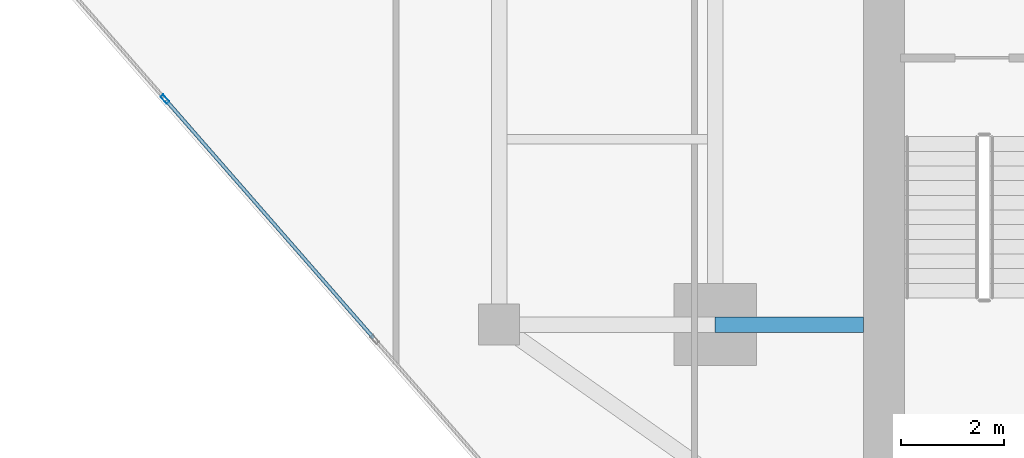
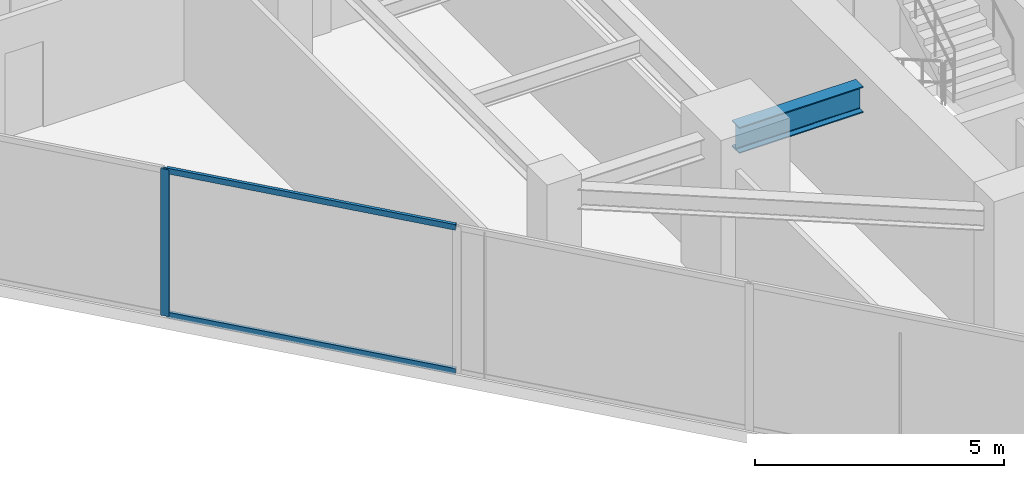
# One storey, part 4 of 24: 3 members, 1 beam, 1 element without a shape of its own.
"""IFC4 building model written with IfcOpenShell, lengths in metres."""

from ifc_helpers import new_model, si_unit, direction, frame, origin, origin_2d, place, context, subcontext, project, spatial, hollow_rectangle, i_section, extrude, source, transform, mapped, material, material_profile, profile_set, type_object, type_shapes, element, aggregate, save


model = new_model("IFC4")

# Units and contexts
model_context = context("Model", 3, precision=1e-05, world=origin(), true_north=direction((0.0, 1.0)))
body_context = subcontext(model_context, "Body", "Model", "MODEL_VIEW")
ifc_project = project(units=[si_unit("LENGTHUNIT", "METRE"), si_unit("AREAUNIT", "SQUARE_METRE"), si_unit("VOLUMEUNIT", "CUBIC_METRE"), si_unit("PLANEANGLEUNIT", "RADIAN"), si_unit("MASSUNIT", "GRAM", prefix="KILO")], contexts=[model_context])

# Site, building, storey
site_placement = place(None, origin())
site = spatial("IfcSite", under=ifc_project, at=site_placement, CompositionType="ELEMENT")
building_placement = place(site_placement, origin())
building = spatial("IfcBuilding", under=site, at=building_placement, Name="Krantzveldt Concourse Tower", CompositionType="ELEMENT")
storey_placement = place(building_placement, frame((0.0, 0.0, 258.64990234375)))
storey = spatial("IfcBuildingStorey", under=building, at=storey_placement, Name="L63", CompositionType="ELEMENT", Elevation=258.64990234375)

# Beam
ifc_material_1 = material(Name="Steel S355JR", Category="steel")
ifc_material_profile_1 = material_profile(ifc_material_1, i_section(OverallWidth=0.300048828125, OverallDepth=0.639892578125, WebThickness=0.013427734375, FlangeThickness=0.02587890625, FilletRadius=0.027099609375, at=origin_2d()), Name="Steel S355JR", Category="steel")
ifc_profile_set_1 = profile_set([ifc_material_profile_1], Name="Steel S355JR - HEA 650")
beam_type = type_object("IfcBeamType", Name="BM-B-HEA650", PredefinedType="BEAM", material=ifc_profile_set_1)
shared_shape_1 = source(origin(), body_context, "Body", "SweptSolid", [
    extrude(i_section(OverallWidth=0.300048828125, OverallDepth=0.639892578125, WebThickness=0.013427734375, FlangeThickness=0.02587890625, FilletRadius=0.027099609375, at=origin_2d()), origin(), (0.0, 0.0, 1.0), 2.880126953125),
])
type_shapes(beam_type, [shared_shape_1])
beam_placement = place(storey_placement, frame((25.199951171875, 15.89990234375, 3.280029296875), z_axis=(1.0, 0.0, 0.0), x_axis=(0.0, 1.0, 0.0)))
element("IfcBeam", 1, at=beam_placement, inside=storey, type_object=beam_type, Name="L63 Tower Girder BG-CW1", PredefinedType="BEAM", context=body_context, shape_type="MappedRepresentation", body=[
    mapped(shared_shape_1, transform((0.0, 0.0, 0.0), x_axis=(1.0, 0.0, 0.0), y_axis=(0.0, 1.0, 0.0), z_axis=(0.0, 0.0, 1.0), scale=1.0)),
])

# Curtain wall, members
ifc_material_2 = material(Name="Anodised aluminium 6063-T6", Category="aluminium")
curtain_wall_type = type_object("IfcCurtainWallType", Name="CW3", PredefinedType="USERDEFINED", material=ifc_material_2)
curtain_wall_placement = place(storey_placement, origin())
curtain_wall = element("IfcCurtainWall", 2, at=curtain_wall_placement, inside=storey, type_object=curtain_wall_type, Name="CW-L63-F04", ObjectType="UNITISED CURTAIN WALL", PredefinedType="USERDEFINED")
ifc_material_profile_2 = material_profile(ifc_material_2, hollow_rectangle(XDim=0.070068359375, YDim=0.179931640625, WallThickness=0.0048828125, at=origin_2d()), Name="Anodised aluminium 6063-T6", Category="aluminium")
ifc_profile_set_2 = profile_set([ifc_material_profile_2], Name="Anodised aluminium 6063-T6 - ALU-MULL 180x70x5")
member_type_1 = type_object("IfcMemberType", Name="CW-MUL-180", PredefinedType="MULLION", material=ifc_profile_set_2)
shared_shape_2 = source(origin(), body_context, "Body", "SweptSolid", [
    extrude(hollow_rectangle(XDim=0.070068359375, YDim=0.179931640625, WallThickness=0.0048828125, at=origin_2d()), origin(), (0.0, 0.0, 1.0), 3.60009765625),
])
type_shapes(member_type_1, [shared_shape_2])
member_1_placement = place(storey_placement, frame((14.509033203125, 20.28173828125, 0.0), z_axis=(0.0, 0.0, 1.0), x_axis=(0.753276529034, 0.657703938567, 0.0)))
member_1 = element("IfcMember", 3, at=member_1_placement, type_object=member_type_1, Name="CW-Z34 mullion 2", PredefinedType="MULLION", context=body_context, shape_type="MappedRepresentation", body=[
    mapped(shared_shape_2, transform((0.0, 0.0, 0.0), x_axis=(1.0, 0.0, 0.0), y_axis=(0.0, 1.0, 0.0), z_axis=(0.0, 0.0, 1.0), scale=1.0)),
])
ifc_material_profile_3 = material_profile(ifc_material_2, hollow_rectangle(XDim=0.070068359375, YDim=0.139892578125, WallThickness=0.0048828125, at=origin_2d()), Name="Anodised aluminium 6063-T6", Category="aluminium")
ifc_profile_set_3 = profile_set([ifc_material_profile_3], Name="Anodised aluminium 6063-T6 - ALU-TRAN 140x70x5")
member_type_2 = type_object("IfcMemberType", Name="CW-TRN-150", PredefinedType="USERDEFINED", material=ifc_profile_set_3)
shared_shape_3 = source(origin(), body_context, "Body", "SweptSolid", [
    extrude(hollow_rectangle(XDim=0.070068359375, YDim=0.139892578125, WallThickness=0.0048828125, at=origin_2d()), origin(), (0.0, 0.0, 1.0), 6.130126953125),
])
type_shapes(member_type_2, [shared_shape_3])
member_2_placement = place(storey_placement, frame((14.531982421875, 20.25537109375, 0.03515625), z_axis=(0.657697827635, -0.753281864593, 0.0), x_axis=(0.753281864593, 0.657697827635, 0.0)))
member_2 = element("IfcMember", 4, at=member_2_placement, type_object=member_type_2, Name="CW-Z34 transom 2.1", ObjectType="TRANSOM", PredefinedType="USERDEFINED", context=body_context, shape_type="MappedRepresentation", body=[
    mapped(shared_shape_3, transform((0.0, 0.0, 0.0), x_axis=(1.0, 0.0, 0.0), y_axis=(0.0, 1.0, 0.0), z_axis=(0.0, 0.0, 1.0), scale=1.0)),
])
member_3_placement = place(storey_placement, frame((14.531982421875, 20.25537109375, 3.565185546875), z_axis=(0.657697827635, -0.753281864593, 0.0), x_axis=(0.753281864593, 0.657697827635, 0.0)))
member_3 = element("IfcMember", 5, at=member_3_placement, type_object=member_type_2, Name="CW-Z34 transom 2.2", ObjectType="TRANSOM", PredefinedType="USERDEFINED", context=body_context, shape_type="MappedRepresentation", body=[
    mapped(shared_shape_3, transform((0.0, 0.0, 0.0), x_axis=(1.0, 0.0, 0.0), y_axis=(0.0, 1.0, 0.0), z_axis=(0.0, 0.0, 1.0), scale=1.0)),
])
aggregate(curtain_wall, [member_1, member_2, member_3])

save(model, "model.ifc")
